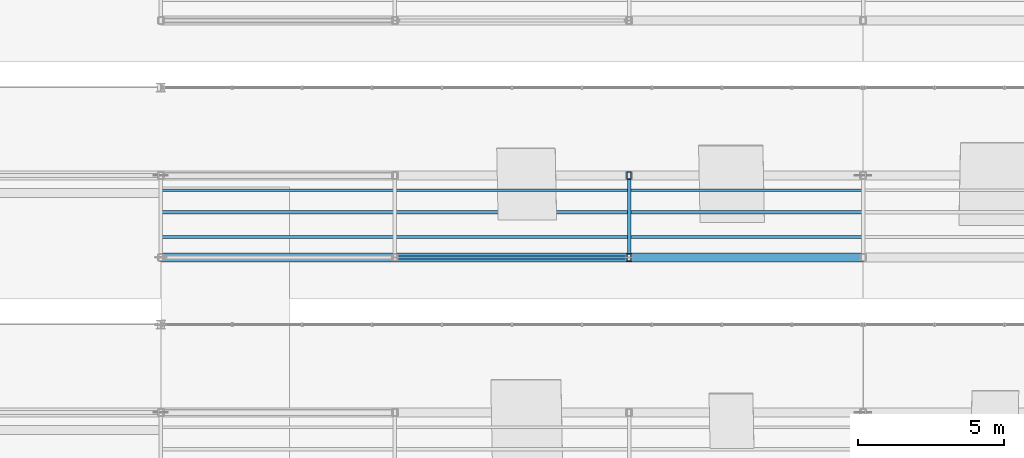
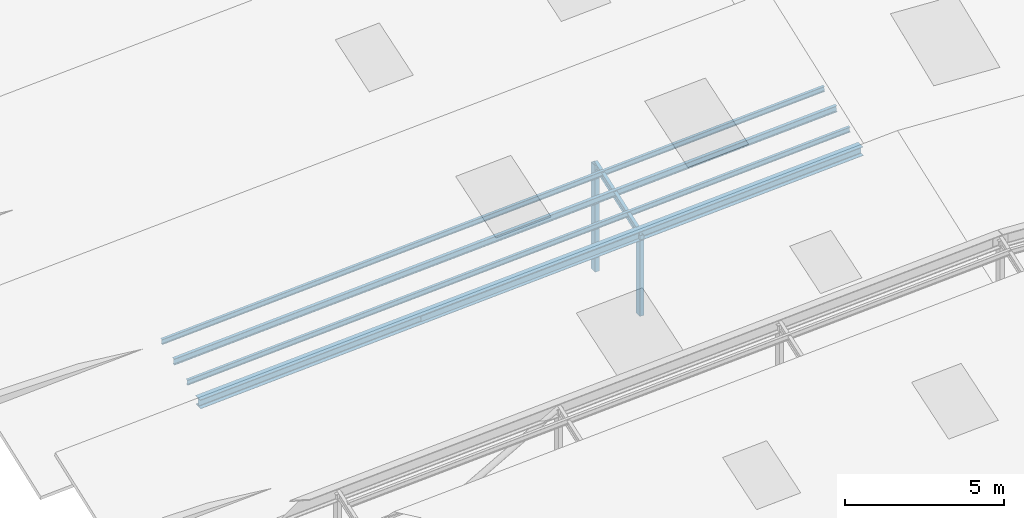
# One storey, part 32 of 141: 8 members.
"""IFC4 building model written with IfcOpenShell, lengths in metres."""

from ifc_helpers import new_model, si_unit, direction, frame, origin, origin_2d, place, context, subcontext, project, spatial, hollow_rectangle, i_section, extrude, material, material_profile, profile_set, type_object, element, save


model = new_model("IFC4")

# Units and contexts
model_context = context("Model", 3, precision=1e-05, world=origin(), true_north=direction((0.0, 1.0)))
body_context = subcontext(model_context, "Body", "Model", "MODEL_VIEW")
ifc_project = project(units=[si_unit("LENGTHUNIT", "METRE"), si_unit("AREAUNIT", "SQUARE_METRE"), si_unit("VOLUMEUNIT", "CUBIC_METRE"), si_unit("PLANEANGLEUNIT", "RADIAN"), si_unit("MASSUNIT", "GRAM", prefix="KILO")], contexts=[model_context])

# Site, building, storey
site_placement = place(None, origin())
site = spatial("IfcSite", under=ifc_project, at=site_placement, CompositionType="ELEMENT")
building_placement = place(site_placement, origin())
building = spatial("IfcBuilding", under=site, at=building_placement, Name="Sundkrona Museum", CompositionType="ELEMENT")
storey_placement = place(building_placement, frame((0.0, 0.0, 34.0)))
storey = spatial("IfcBuildingStorey", under=building, at=storey_placement, Name="RF", CompositionType="ELEMENT", Elevation=34.0)

# Members
ifc_material = material(Name="Steel S355J2", Category="steel")
ifc_material_profile_1 = material_profile(ifc_material, i_section(OverallWidth=0.10009765625, OverallDepth=0.199951171875, WebThickness=0.005615234375, FlangeThickness=0.008544921875, FilletRadius=0.011962890625, at=origin_2d()), Name="IPE 200")
ifc_profile_set_1 = profile_set([ifc_material_profile_1], Name="Steel S355J2")
member_type_1 = type_object("IfcMemberType", Name="PR-IPE200", PredefinedType="PURLIN", material=ifc_profile_set_1)
for number, where, z_axis, x_axis, name in (
    (1, (120.0, 13.300048828125, 2.319580078125), (0.998539934522, 0.0, 0.054018507607), (0.0, 1.0, 0.0), "RFS-1 Sawtooth Blade 3W Roof Purlin 1"),
    (2, (120.0, 14.89599609375, 2.906982421875), (0.998539934522, 0.0, 0.054018507607), (0.0, 1.0, 0.0), "RFS-1 Sawtooth Blade 3W Roof Purlin 3"),
):
    element("IfcMember", number, at=place(storey_placement, frame(where, z_axis=z_axis, x_axis=x_axis)), inside=storey, type_object=member_type_1, Name=name, PredefinedType="PURLIN", context=body_context, shape_type="SweptSolid", body=[
        extrude(i_section(OverallWidth=0.10009765625, OverallDepth=0.199951171875, WebThickness=0.005615234375, FlangeThickness=0.008544921875, FilletRadius=0.011962890625, at=origin_2d()), origin(), (0.0, 0.0, 1.0), 24.03515625),
    ])
ifc_material_profile_2 = material_profile(ifc_material, i_section(OverallWidth=0.1201171875, OverallDepth=0.239990234375, WebThickness=0.006103515625, FlangeThickness=0.009765625, FilletRadius=0.014892578125, at=origin_2d()), Name="IPE 240")
ifc_profile_set_2 = profile_set([ifc_material_profile_2], Name="Steel S355J2")
member_type_2 = type_object("IfcMemberType", Name="PR-IPE240", PredefinedType="PURLIN", material=ifc_profile_set_2)
member_1_placement = place(storey_placement, frame((136.0, 12.60009765625, 2.842529296875), z_axis=(0.0, 0.942745736025, 0.333512334414), x_axis=(-1.0, 0.0, 0.0)))
element("IfcMember", 3, at=member_1_placement, inside=storey, type_object=member_type_2, Name="RFS-1 Sawtooth Bay 3 Transverse Rafter 3", PredefinedType="PURLIN", context=body_context, shape_type="SweptSolid", body=[
    extrude(i_section(OverallWidth=0.1201171875, OverallDepth=0.239990234375, WebThickness=0.006103515625, FlangeThickness=0.009765625, FilletRadius=0.014892578125, at=origin_2d()), origin(), (0.0, 0.0, 1.0), 2.9697265625),
])
member_2_placement = place(storey_placement, frame((120.0, 14.139892578125, 2.608642578125), z_axis=(0.998539934522, 0.0, 0.054018507607), x_axis=(0.0, 1.0, 0.0)))
element("IfcMember", 4, at=member_2_placement, inside=storey, type_object=member_type_2, Name="RFS-1 Sawtooth Blade 3W Roof Purlin 2", PredefinedType="PURLIN", context=body_context, shape_type="SweptSolid", body=[
    extrude(i_section(OverallWidth=0.1201171875, OverallDepth=0.239990234375, WebThickness=0.006103515625, FlangeThickness=0.009765625, FilletRadius=0.014892578125, at=origin_2d()), origin(), (0.0, 0.0, 1.0), 24.03515625),
])
ifc_material_profile_3 = material_profile(ifc_material, hollow_rectangle(XDim=0.10009765625, YDim=0.199951171875, WallThickness=0.008056640625, at=origin_2d()), Name="RHS 200x100x8.0")
ifc_profile_set_3 = profile_set([ifc_material_profile_3], Name="Steel S355J2")
member_type_3 = type_object("IfcMemberType", Name="PR-RHS200", PredefinedType="PURLIN", material=ifc_profile_set_3)
member_3_placement = place(storey_placement, frame((128.0400390625, 12.60009765625, 2.371826171875), z_axis=(0.998539806158, 0.0, 0.054020880389), x_axis=(0.0, 1.0, 0.0)))
element("IfcMember", 5, at=member_3_placement, inside=storey, type_object=member_type_3, Name="RFS-1 Sawtooth Bay 3 Valley Trim Purlin", PredefinedType="PURLIN", context=body_context, shape_type="SweptSolid", body=[
    extrude(hollow_rectangle(XDim=0.10009765625, YDim=0.199951171875, WallThickness=0.008056640625, at=origin_2d()), origin(), (0.0, 0.0, 1.0), 7.931396484375),
])
ifc_material_profile_4 = material_profile(ifc_material, hollow_rectangle(XDim=0.14990234375, YDim=0.25, WallThickness=0.010009765625, at=origin_2d()), Name="RHS 250x150x10.0")
ifc_profile_set_4 = profile_set([ifc_material_profile_4], Name="Steel S355J2")
member_type_4 = type_object("IfcMemberType", Name="ST-RHS250", PredefinedType="STRUT", material=ifc_profile_set_4)
member_4_placement = place(storey_placement, frame((136.0, 15.39990234375, -0.25), z_axis=(0.0, 0.0, 1.0), x_axis=(1.0, 0.0, 0.0)))
element("IfcMember", 6, at=member_4_placement, inside=storey, type_object=member_type_4, Name="RFS-1 Sawtooth Truss 3 Vertical Post 3", PredefinedType="STRUT", context=body_context, shape_type="SweptSolid", body=[
    extrude(hollow_rectangle(XDim=0.14990234375, YDim=0.25, WallThickness=0.010009765625, at=origin_2d()), origin(), (0.0, 0.0, 1.0), 4.0830078125),
])
member_5_placement = place(storey_placement, frame((136.0, 12.60009765625, -0.25), z_axis=(0.0, 0.0, 1.0), x_axis=(1.0, 0.0, 0.0)))
element("IfcMember", 7, at=member_5_placement, inside=storey, type_object=member_type_4, Name="RFS-1 Sawtooth Bay 3 Valley Post 3", PredefinedType="STRUT", context=body_context, shape_type="SweptSolid", body=[
    extrude(hollow_rectangle(XDim=0.14990234375, YDim=0.25, WallThickness=0.010009765625, at=origin_2d()), origin(), (0.0, 0.0, 1.0), 3.092529296875),
])
ifc_material_profile_5 = material_profile(ifc_material, i_section(OverallWidth=0.300048828125, OverallDepth=0.35009765625, WebThickness=0.010009765625, FlangeThickness=0.017578125, FilletRadius=0.027099609375, at=origin_2d()), Name="HEA 360")
ifc_profile_set_5 = profile_set([ifc_material_profile_5], Name="Steel S355J2")
member_type_5 = type_object("IfcMemberType", Name="TC-HEA360", PredefinedType="CHORD", material=ifc_profile_set_5)
member_6_placement = place(storey_placement, frame((120.0, 12.60009765625, 1.976806640625), z_axis=(0.99853938657, 0.0, 0.054028635632), x_axis=(0.0, 1.0, 0.0)))
element("IfcMember", 8, at=member_6_placement, inside=storey, type_object=member_type_5, Name="RFS-1 Sawtooth Valley Truss 3 West Top Chord", PredefinedType="CHORD", context=body_context, shape_type="SweptSolid", body=[
    extrude(i_section(OverallWidth=0.300048828125, OverallDepth=0.35009765625, WebThickness=0.010009765625, FlangeThickness=0.017578125, FilletRadius=0.027099609375, at=origin_2d()), origin(), (0.0, 0.0, 1.0), 24.03515625),
])

save(model, "model.ifc")
